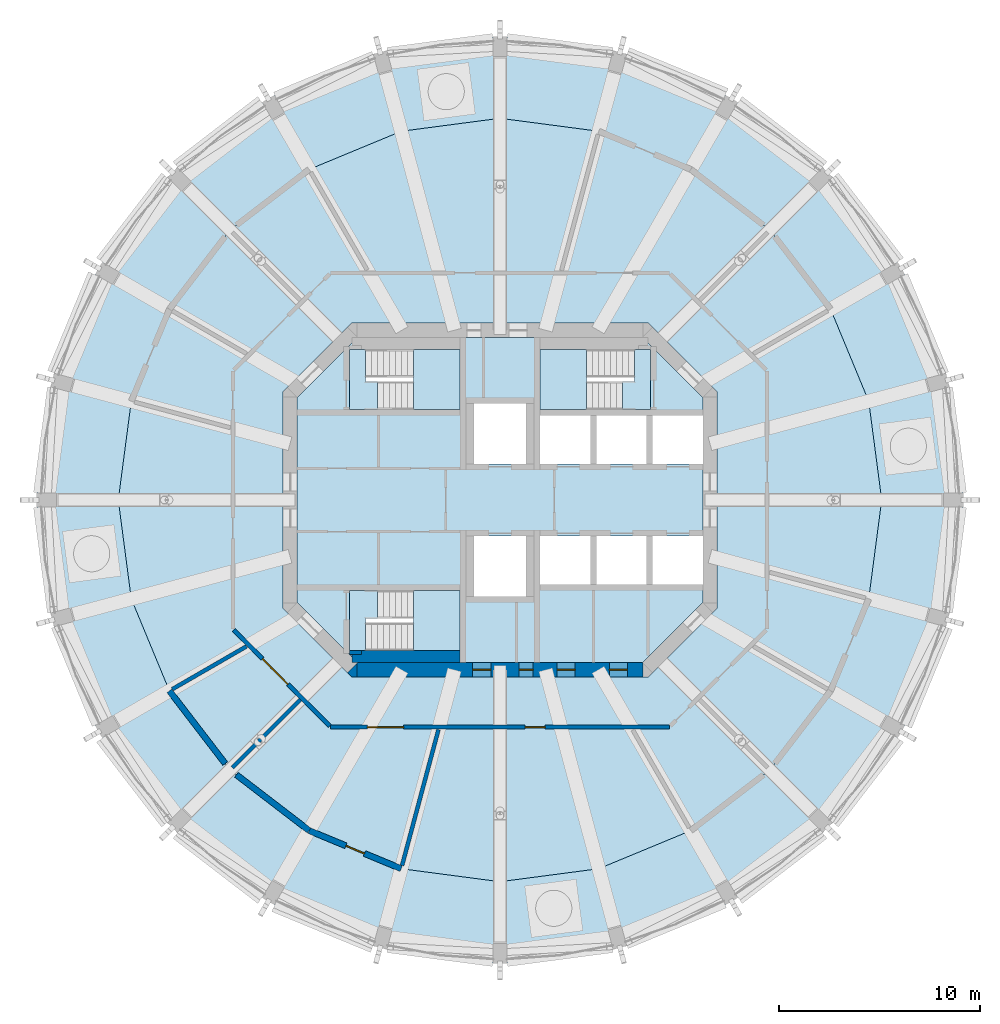
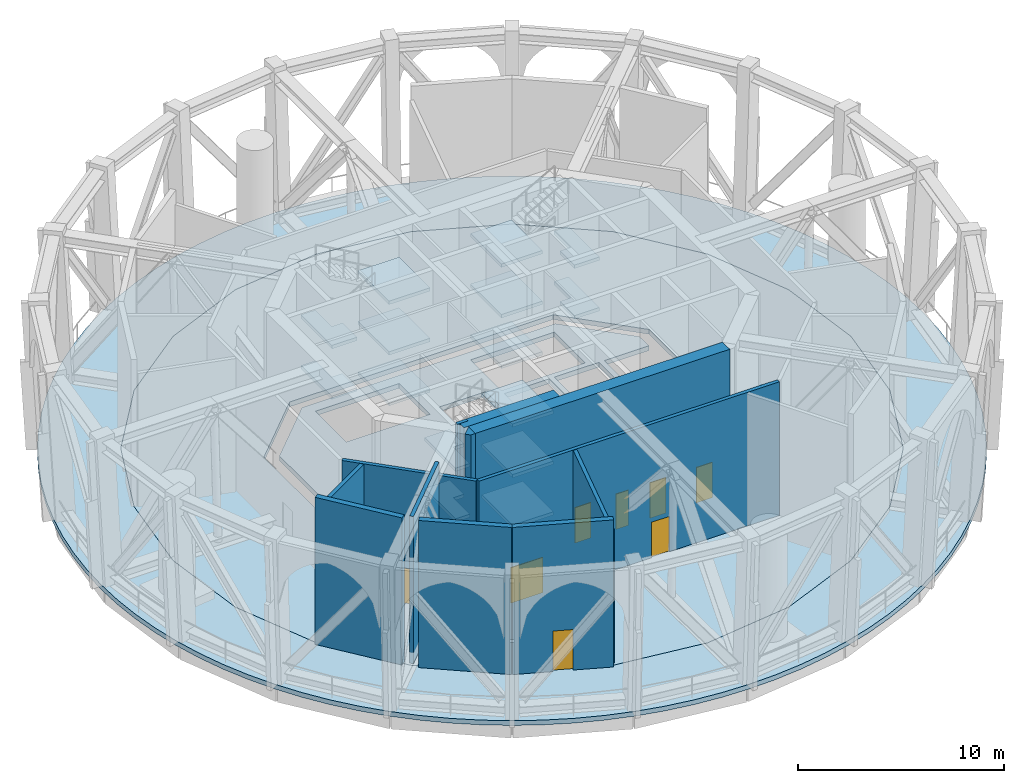
# One storey, part 4 of 12: 18 slabs, 12 walls, 8 doors, 8 openings, 3 elements without a shape of their own.
"""IFC4 building model written with IfcOpenShell, lengths in metres."""

from ifc_helpers import new_model, si_unit, direction, frame, frame_2d, origin, place, context, subcontext, project, spatial, polyline, rectangle, outline, extrude, material, layer, layer_set, type_object, element, fill, aggregate, save


model = new_model("IFC4")

# Units and contexts
model_context = context("Model", 3, precision=1e-05, world=origin(), true_north=direction((0.0, 1.0)))
body_context = subcontext(model_context, "Body", "Model", "MODEL_VIEW")
ifc_project = project(units=[si_unit("LENGTHUNIT", "METRE"), si_unit("AREAUNIT", "SQUARE_METRE"), si_unit("VOLUMEUNIT", "CUBIC_METRE"), si_unit("PLANEANGLEUNIT", "RADIAN"), si_unit("MASSUNIT", "GRAM", prefix="KILO")], contexts=[model_context])

# Site, building, storey
site_placement = place(None, origin())
site = spatial("IfcSite", under=ifc_project, at=site_placement, CompositionType="ELEMENT")
building_placement = place(site_placement, origin())
building = spatial("IfcBuilding", under=site, at=building_placement, Name="Torre Triforio", CompositionType="ELEMENT")
storey_placement = place(building_placement, frame((0.0, 0.0, 183.800048828125)))
storey = spatial("IfcBuildingStorey", under=building, at=storey_placement, Name="L42", CompositionType="ELEMENT", Elevation=183.800048828125)

# Slabs
ifc_material_1 = material(Name="Concrete C50", Category="concrete")
ifc_layer_1 = layer(ifc_material_1, 0.280029296875)
ifc_layer_set_1 = layer_set([ifc_layer_1], Name="Concrete C50")
slab_type_1 = type_object("IfcSlabType", Name="Core floor slab 280 mm C50 REI 120", PredefinedType="FLOOR", material=ifc_layer_set_1)
slab_1_placement = place(storey_placement, frame((0.0, 0.0, -0.280029296875)))
element("IfcSlab", 1, at=slab_1_placement, inside=storey, type_object=slab_type_1, Name="Core floor slab", PredefinedType="FLOOR", context=body_context, shape_type="SweptSolid", body=[
    extrude(outline(polyline([(10.10009765625, -5.10009765625), (7.10009765625, -8.10009765625), (-7.10009765625, -8.10009765625), (-10.10009765625, -5.10009765625), (-10.10009765625, 5.10009765625), (-7.10009765625, 8.10009765625), (7.10009765625, 8.10009765625), (10.10009765625, 5.10009765625), (10.10009765625, 4.199951171875), (7.60009765625, 4.199951171875), (7.60009765625, 1.800048828125), (10.10009765625, 1.800048828125), (10.10009765625, -1.800048828125), (7.60009765625, -1.800048828125), (7.60009765625, -4.199951171875), (10.10009765625, -4.199951171875), (10.10009765625, -5.10009765625)]), holes=[polyline([(-6.696044921875, -4.5), (-6.696044921875, -7.5), (-2.0, -7.5), (-2.0, -4.5), (-6.696044921875, -4.5)]), polyline([(-1.300048828125, -1.800048828125), (-1.300048828125, -4.800048828125), (1.300048828125, -4.800048828125), (1.300048828125, -1.800048828125), (-1.300048828125, -1.800048828125)]), polyline([(2.0, -1.800048828125), (2.0, -4.199951171875), (4.5, -4.199951171875), (4.5, -1.800048828125), (2.0, -1.800048828125)]), polyline([(4.5, 4.199951171875), (2.0, 4.199951171875), (2.0, 1.800048828125), (4.5, 1.800048828125), (4.5, 4.199951171875)]), polyline([(1.300048828125, 4.800048828125), (-1.300048828125, 4.800048828125), (-1.300048828125, 1.800048828125), (1.300048828125, 1.800048828125), (1.300048828125, 4.800048828125)]), polyline([(-6.696044921875, 7.5), (-6.696044921875, 4.5), (-2.0, 4.5), (-2.0, 7.5), (-6.696044921875, 7.5)]), polyline([(7.300048828125, -1.800048828125), (4.800048828125, -1.800048828125), (4.800048828125, -4.199951171875), (7.300048828125, -4.199951171875), (7.300048828125, -1.800048828125)]), polyline([(4.800048828125, 4.199951171875), (4.800048828125, 1.800048828125), (7.300048828125, 1.800048828125), (7.300048828125, 4.199951171875), (4.800048828125, 4.199951171875)]), polyline([(6.696044921875, 7.5), (2.0, 7.5), (2.0, 4.5), (6.696044921875, 4.5), (6.696044921875, 7.5)])]), origin(), (0.0, 0.0, 1.0), 0.280029296875),
])
ifc_material_2 = material(Name="Concrete C40", Category="concrete")
ifc_layer_2 = layer(ifc_material_2, 0.280029296875)
ifc_layer_set_2 = layer_set([ifc_layer_2], Name="Concrete C40")
slab_type_2 = type_object("IfcSlabType", Name="Floor slab 280 C40", PredefinedType="FLOOR", material=ifc_layer_set_2)
slab_2_placement = place(storey_placement, frame((0.0, 0.0, -0.280029296875)))
element("IfcSlab", 2, at=slab_2_placement, inside=storey, type_object=slab_type_2, Name="SL.L42", PredefinedType="FLOOR", context=body_context, shape_type="SweptSolid", body=[
    extrude(outline(polyline([(16.45458984375, -9.5), (18.3525390625, -4.91748046875), (19.0, 0.0), (18.3525390625, 4.91748046875), (16.45458984375, 9.5), (13.43505859375, 13.43505859375), (9.5, 16.45458984375), (4.91748046875, 18.3525390625), (0.0, 19.0), (-4.91748046875, 18.3525390625), (-9.5, 16.45458984375), (-13.43505859375, 13.43505859375), (-16.45458984375, 9.5), (-18.3525390625, 4.91748046875), (-19.0, 0.0), (-18.3525390625, -4.91748046875), (-16.45458984375, -9.5), (-13.43505859375, -13.43505859375), (-9.5, -16.45458984375), (-4.91748046875, -18.3525390625), (0.0, -19.0), (4.91748046875, -18.3525390625), (9.5, -16.45458984375), (13.43505859375, -13.43505859375), (16.45458984375, -9.5)]), holes=[polyline([(10.800048828125, 5.389892578125), (10.800048828125, -5.389892578125), (7.389892578125, -8.800048828125), (-7.389892578125, -8.800048828125), (-10.800048828125, -5.389892578125), (-10.800048828125, 5.389892578125), (-7.389892578125, 8.800048828125), (7.389892578125, 8.800048828125), (10.800048828125, 5.389892578125)])]), origin(), (0.0, 0.0, 1.0), 0.280029296875),
])
ifc_layer_3 = layer(ifc_material_2, 0.280029296875)
ifc_layer_set_3 = layer_set([ifc_layer_3], Name="Concrete C40")
slab_type_3 = type_object("IfcSlabType", Name="Loggia slab 280 C40", PredefinedType="FLOOR", material=ifc_layer_set_3)
slab_3_placement = place(storey_placement, frame((0.0, 0.0, -0.280029296875)))
element("IfcSlab", 3, at=slab_3_placement, inside=storey, type_object=slab_type_3, Name="SL.L42.LG", PredefinedType="FLOOR", context=body_context, shape_type="SweptSolid", body=[
    extrude(outline(polyline([(23.000732421875, -1.507568359375), (23.050048828125, 0.0), (23.000732421875, 1.507568359375), (22.852783203125, 3.008544921875), (22.607177734375, 4.496826171875), (22.2646484375, 5.9658203125), (21.82666015625, 7.4091796875), (21.29541015625, 8.82080078125), (20.6728515625, 10.19482421875), (19.9619140625, 11.52490234375), (19.165283203125, 12.805908203125), (18.286865234375, 14.031982421875), (17.329833984375, 15.197998046875), (16.298828125, 16.298828125), (15.197998046875, 17.329833984375), (14.031982421875, 18.286865234375), (12.805908203125, 19.165283203125), (11.52490234375, 19.9619140625), (10.19482421875, 20.6728515625), (8.82080078125, 21.29541015625), (7.4091796875, 21.82666015625), (5.9658203125, 22.2646484375), (4.496826171875, 22.607177734375), (3.008544921875, 22.852783203125), (1.507568359375, 23.000732421875), (0.0, 23.050048828125), (-1.507568359375, 23.000732421875), (-3.008544921875, 22.852783203125), (-4.496826171875, 22.607177734375), (-5.9658203125, 22.2646484375), (-7.4091796875, 21.82666015625), (-8.82080078125, 21.29541015625), (-10.19482421875, 20.6728515625), (-11.52490234375, 19.9619140625), (-12.805908203125, 19.165283203125), (-14.031982421875, 18.286865234375), (-15.197998046875, 17.329833984375), (-16.298828125, 16.298828125), (-17.329833984375, 15.197998046875), (-18.286865234375, 14.031982421875), (-19.165283203125, 12.805908203125), (-19.9619140625, 11.52490234375), (-20.6728515625, 10.19482421875), (-21.29541015625, 8.82080078125), (-21.82666015625, 7.4091796875), (-22.2646484375, 5.9658203125), (-22.607177734375, 4.496826171875), (-22.852783203125, 3.008544921875), (-23.000732421875, 1.507568359375), (-23.050048828125, 0.0), (-23.000732421875, -1.507568359375), (-22.852783203125, -3.008544921875), (-22.607177734375, -4.496826171875), (-22.2646484375, -5.9658203125), (-21.82666015625, -7.4091796875), (-21.29541015625, -8.82080078125), (-20.6728515625, -10.19482421875), (-19.9619140625, -11.52490234375), (-19.165283203125, -12.805908203125), (-18.286865234375, -14.031982421875), (-17.329833984375, -15.197998046875), (-16.298828125, -16.298828125), (-15.197998046875, -17.329833984375), (-14.031982421875, -18.286865234375), (-12.805908203125, -19.165283203125), (-11.52490234375, -19.9619140625), (-10.19482421875, -20.6728515625), (-8.82080078125, -21.29541015625), (-7.4091796875, -21.82666015625), (-5.9658203125, -22.2646484375), (-4.496826171875, -22.607177734375), (-3.008544921875, -22.852783203125), (-1.507568359375, -23.000732421875), (0.0, -23.050048828125), (1.507568359375, -23.000732421875), (3.008544921875, -22.852783203125), (4.496826171875, -22.607177734375), (5.9658203125, -22.2646484375), (7.4091796875, -21.82666015625), (8.82080078125, -21.29541015625), (10.19482421875, -20.6728515625), (11.52490234375, -19.9619140625), (12.805908203125, -19.165283203125), (14.031982421875, -18.286865234375), (15.197998046875, -17.329833984375), (16.298828125, -16.298828125), (17.329833984375, -15.197998046875), (18.286865234375, -14.031982421875), (19.165283203125, -12.805908203125), (19.9619140625, -11.52490234375), (20.6728515625, -10.19482421875), (21.29541015625, -8.82080078125), (21.82666015625, -7.4091796875), (22.2646484375, -5.9658203125), (22.607177734375, -4.496826171875), (22.852783203125, -3.008544921875), (23.000732421875, -1.507568359375)]), holes=[polyline([(18.3525390625, 4.91748046875), (19.0, 0.0), (18.3525390625, -4.91748046875), (16.45458984375, -9.5), (13.43505859375, -13.43505859375), (9.5, -16.45458984375), (4.91748046875, -18.3525390625), (0.0, -19.0), (-4.91748046875, -18.3525390625), (-9.5, -16.45458984375), (-13.43505859375, -13.43505859375), (-16.45458984375, -9.5), (-18.3525390625, -4.91748046875), (-19.0, 0.0), (-18.3525390625, 4.91748046875), (-16.45458984375, 9.5), (-13.43505859375, 13.43505859375), (-9.5, 16.45458984375), (-4.91748046875, 18.3525390625), (0.0, 19.0), (4.91748046875, 18.3525390625), (9.5, 16.45458984375), (13.43505859375, 13.43505859375), (16.45458984375, 9.5), (18.3525390625, 4.91748046875)])]), origin(), (0.0, 0.0, 1.0), 0.280029296875),
])

# Stair, slabs
stair_type = type_object("IfcStairType", Name="STAIR DOUBLE RETURN", PredefinedType="DOUBLE_RETURN_STAIR", material=ifc_material_2)
stair_1_placement = place(storey_placement, origin())
stair_1 = element("IfcStair", 4, at=stair_1_placement, inside=storey, type_object=stair_type, Name="Exit stair 1", PredefinedType="DOUBLE_RETURN_STAIR")
ifc_layer_4 = layer(ifc_material_2, 0.199951171875)
ifc_layer_set_4 = layer_set([ifc_layer_4], Name="Concrete C40")
slab_type_4 = type_object("IfcSlabType", Name="STAIR LANDING 200", PredefinedType="LANDING", material=ifc_layer_set_4)
slab_4_placement = place(storey_placement, frame((0.0, 0.0, 1.300048828125)))
slab_4 = element("IfcSlab", 5, at=slab_4_placement, type_object=slab_type_4, Name="ST1 landing 1", PredefinedType="LANDING", context=body_context, shape_type="SweptSolid", body=[
    extrude(outline(polyline([(-2.0, 4.5), (-2.0, 7.5), (-4.300048828125, 7.5), (-4.300048828125, 4.5), (-2.0, 4.5)])), origin(), (0.0, 0.0, 1.0), 0.199951171875),
])
slab_5_placement = place(storey_placement, frame((0.0, 0.0, 2.800048828125)))
slab_5 = element("IfcSlab", 6, at=slab_5_placement, type_object=slab_type_4, Name="ST1 landing 2", PredefinedType="LANDING", context=body_context, shape_type="SweptSolid", body=[
    extrude(outline(polyline([(-6.10009765625, 5.89990234375), (-6.10009765625, 4.5), (-6.696044921875, 4.5), (-6.699951171875, 4.5), (-7.5, 4.5), (-7.5, 7.5), (-6.696044921875, 7.5), (-6.696044921875, 5.89990234375), (-6.10009765625, 5.89990234375)])), origin(), (0.0, 0.0, 1.0), 0.199951171875),
])
slab_6_placement = place(storey_placement, frame((0.0, 0.0, 4.300048828125)))
slab_6 = element("IfcSlab", 7, at=slab_6_placement, type_object=slab_type_4, Name="ST1 landing 3", PredefinedType="LANDING", context=body_context, shape_type="SweptSolid", body=[
    extrude(outline(polyline([(-2.0, 4.5), (-2.0, 7.5), (-4.300048828125, 7.5), (-4.300048828125, 4.5), (-2.0, 4.5)])), origin(), (0.0, 0.0, 1.0), 0.199951171875),
])
slab_7_placement = place(storey_placement, frame((0.0, 0.0, 5.800048828125)))
slab_7 = element("IfcSlab", 8, at=slab_7_placement, type_object=slab_type_4, Name="ST1 landing 4", PredefinedType="LANDING", context=body_context, shape_type="SweptSolid", body=[
    extrude(outline(polyline([(-6.10009765625, 5.89990234375), (-6.10009765625, 4.5), (-6.696044921875, 4.5), (-6.699951171875, 4.5), (-7.5, 4.5), (-7.5, 7.5), (-6.696044921875, 7.5), (-6.696044921875, 5.89990234375), (-6.10009765625, 5.89990234375)])), origin(), (0.0, 0.0, 1.0), 0.199951171875),
])
slab_8_placement = place(storey_placement, frame((0.0, 0.0, 7.300048828125)))
slab_8 = element("IfcSlab", 9, at=slab_8_placement, type_object=slab_type_4, Name="ST1 landing 5", PredefinedType="LANDING", context=body_context, shape_type="SweptSolid", body=[
    extrude(outline(polyline([(-2.0, 4.5), (-2.0, 7.5), (-4.300048828125, 7.5), (-4.300048828125, 4.5), (-2.0, 4.5)])), origin(), (0.0, 0.0, 1.0), 0.199951171875),
])
aggregate(stair_1, [slab_4, slab_5, slab_6, slab_7, slab_8])

stair_2_placement = place(storey_placement, origin())
stair_2 = element("IfcStair", 10, at=stair_2_placement, inside=storey, type_object=stair_type, Name="Exit stair 2", PredefinedType="DOUBLE_RETURN_STAIR")
slab_9_placement = place(storey_placement, frame((0.0, 0.0, 1.300048828125)))
slab_9 = element("IfcSlab", 11, at=slab_9_placement, type_object=slab_type_4, Name="ST2 landing 1", PredefinedType="LANDING", context=body_context, shape_type="SweptSolid", body=[
    extrude(outline(polyline([(4.300048828125, 4.5), (4.300048828125, 7.5), (2.0, 7.5), (2.0, 4.5), (4.300048828125, 4.5)])), origin(), (0.0, 0.0, 1.0), 0.199951171875),
])
slab_10_placement = place(storey_placement, frame((0.0, 0.0, 2.800048828125)))
slab_10 = element("IfcSlab", 12, at=slab_10_placement, type_object=slab_type_4, Name="ST2 landing 2", PredefinedType="LANDING", context=body_context, shape_type="SweptSolid", body=[
    extrude(outline(polyline([(6.10009765625, 4.5), (6.10009765625, 5.89990234375), (6.696044921875, 5.89990234375), (6.696044921875, 7.5), (7.5, 7.5), (7.5, 4.5), (6.699951171875, 4.5), (6.696044921875, 4.5), (6.10009765625, 4.5)])), origin(), (0.0, 0.0, 1.0), 0.199951171875),
])
slab_11_placement = place(storey_placement, frame((0.0, 0.0, 4.300048828125)))
slab_11 = element("IfcSlab", 13, at=slab_11_placement, type_object=slab_type_4, Name="ST2 landing 3", PredefinedType="LANDING", context=body_context, shape_type="SweptSolid", body=[
    extrude(outline(polyline([(4.300048828125, 4.5), (4.300048828125, 7.5), (2.0, 7.5), (2.0, 4.5), (4.300048828125, 4.5)])), origin(), (0.0, 0.0, 1.0), 0.199951171875),
])
slab_12_placement = place(storey_placement, frame((0.0, 0.0, 5.800048828125)))
slab_12 = element("IfcSlab", 14, at=slab_12_placement, type_object=slab_type_4, Name="ST2 landing 4", PredefinedType="LANDING", context=body_context, shape_type="SweptSolid", body=[
    extrude(outline(polyline([(6.10009765625, 4.5), (6.10009765625, 5.89990234375), (6.696044921875, 5.89990234375), (6.696044921875, 7.5), (7.5, 7.5), (7.5, 4.5), (6.699951171875, 4.5), (6.696044921875, 4.5), (6.10009765625, 4.5)])), origin(), (0.0, 0.0, 1.0), 0.199951171875),
])
slab_13_placement = place(storey_placement, frame((0.0, 0.0, 7.300048828125)))
slab_13 = element("IfcSlab", 15, at=slab_13_placement, type_object=slab_type_4, Name="ST2 landing 5", PredefinedType="LANDING", context=body_context, shape_type="SweptSolid", body=[
    extrude(outline(polyline([(4.300048828125, 4.5), (4.300048828125, 7.5), (2.0, 7.5), (2.0, 4.5), (4.300048828125, 4.5)])), origin(), (0.0, 0.0, 1.0), 0.199951171875),
])
aggregate(stair_2, [slab_9, slab_10, slab_11, slab_12, slab_13])

stair_3_placement = place(storey_placement, origin())
stair_3 = element("IfcStair", 16, at=stair_3_placement, inside=storey, type_object=stair_type, Name="Exit stair 3", PredefinedType="DOUBLE_RETURN_STAIR")
slab_14_placement = place(storey_placement, frame((0.0, 0.0, 1.300048828125)))
slab_14 = element("IfcSlab", 17, at=slab_14_placement, type_object=slab_type_4, Name="ST3 landing 1", PredefinedType="LANDING", context=body_context, shape_type="SweptSolid", body=[
    extrude(outline(polyline([(-2.0, -7.5), (-2.0, -4.5), (-4.300048828125, -4.5), (-4.300048828125, -7.5), (-2.0, -7.5)])), origin(), (0.0, 0.0, 1.0), 0.199951171875),
])
slab_15_placement = place(storey_placement, frame((0.0, 0.0, 2.800048828125)))
slab_15 = element("IfcSlab", 18, at=slab_15_placement, type_object=slab_type_4, Name="ST3 landing 2", PredefinedType="LANDING", context=body_context, shape_type="SweptSolid", body=[
    extrude(outline(polyline([(-6.696044921875, -7.5), (-7.5, -7.5), (-7.5, -4.5), (-6.699951171875, -4.5), (-6.696044921875, -4.5), (-6.10009765625, -4.5), (-6.10009765625, -5.89990234375), (-6.696044921875, -5.89990234375), (-6.696044921875, -7.5)])), origin(), (0.0, 0.0, 1.0), 0.199951171875),
])
slab_16_placement = place(storey_placement, frame((0.0, 0.0, 4.300048828125)))
slab_16 = element("IfcSlab", 19, at=slab_16_placement, type_object=slab_type_4, Name="ST3 landing 3", PredefinedType="LANDING", context=body_context, shape_type="SweptSolid", body=[
    extrude(outline(polyline([(-2.0, -7.5), (-2.0, -4.5), (-4.300048828125, -4.5), (-4.300048828125, -7.5), (-2.0, -7.5)])), origin(), (0.0, 0.0, 1.0), 0.199951171875),
])
slab_17_placement = place(storey_placement, frame((0.0, 0.0, 5.800048828125)))
slab_17 = element("IfcSlab", 20, at=slab_17_placement, type_object=slab_type_4, Name="ST3 landing 4", PredefinedType="LANDING", context=body_context, shape_type="SweptSolid", body=[
    extrude(outline(polyline([(-6.696044921875, -7.5), (-7.5, -7.5), (-7.5, -4.5), (-6.699951171875, -4.5), (-6.696044921875, -4.5), (-6.10009765625, -4.5), (-6.10009765625, -5.89990234375), (-6.696044921875, -5.89990234375), (-6.696044921875, -7.5)])), origin(), (0.0, 0.0, 1.0), 0.199951171875),
])
slab_18_placement = place(storey_placement, frame((0.0, 0.0, 7.300048828125)))
slab_18 = element("IfcSlab", 21, at=slab_18_placement, type_object=slab_type_4, Name="ST3 landing 5", PredefinedType="LANDING", context=body_context, shape_type="SweptSolid", body=[
    extrude(outline(polyline([(-2.0, -7.5), (-2.0, -4.5), (-4.300048828125, -4.5), (-4.300048828125, -7.5), (-2.0, -7.5)])), origin(), (0.0, 0.0, 1.0), 0.199951171875),
])
aggregate(stair_3, [slab_14, slab_15, slab_16, slab_17, slab_18])

# Wall, openings, doors
ifc_layer_5 = layer(ifc_material_1, 0.699951171875)
ifc_layer_set_5 = layer_set([ifc_layer_5], Name="Concrete C50")
wall_type_1 = type_object("IfcWallType", Name="Core wall 700 mm C50 EI 120", PredefinedType="SHEAR", material=ifc_layer_set_5)
wall_1_placement = place(storey_placement, frame((-7.1298828125, -8.449951171875, -0.280029296875), z_axis=(0.0, 0.0, 1.0), x_axis=(1.0, 0.0, 0.0)))
wall_1 = element("IfcWall", 22, at=wall_1_placement, inside=storey, type_object=wall_type_1, Name="Core wall", PredefinedType="SHEAR", context=body_context, shape_type="SweptSolid", body=[
    extrude(rectangle(XDim=14.259765625, YDim=0.699951171875, at=frame_2d((7.1298828125, 0.0))), origin(), (0.0, 0.0, 1.0), 9.0),
])
opening_1_placement = place(wall_1_placement, frame((8.080078125, 0.0, 0.280029296875)))
opening_1 = element("IfcOpeningElement", 23, at=opening_1_placement, cuts=wall_1, Name="Opening RISER-S", PredefinedType="OPENING", context=body_context, shape_type="SweptSolid", body=[
    extrude(rectangle(XDim=0.699951171875, YDim=2.10009765625, at=frame_2d((0.35009765625, 1.050048828125))), frame((0.0, 0.35986328125, 0.0), z_axis=(0.0, -1.0, 0.0), x_axis=(1.0, 0.0, 0.0)), (0.0, 0.0, 1.0), 0.719970703125),
])
opening_2_placement = place(wall_1_placement, frame((5.77001953125, 0.0, 0.280029296875)))
opening_2 = element("IfcOpeningElement", 24, at=opening_2_placement, cuts=wall_1, Name="Opening SW-01", PredefinedType="OPENING", context=body_context, shape_type="SweptSolid", body=[
    extrude(rectangle(XDim=0.89990234375, YDim=2.10009765625, at=frame_2d((0.449951171875, 1.050048828125))), frame((0.0, 0.35986328125, 0.0), z_axis=(0.0, -1.0, 0.0), x_axis=(1.0, 0.0, 0.0)), (0.0, 0.0, 1.0), 0.719970703125),
])
opening_3_placement = place(wall_1_placement, frame((9.969970703125, 0.0, 0.280029296875)))
opening_3 = element("IfcOpeningElement", 25, at=opening_3_placement, cuts=wall_1, Name="Opening SE-01", PredefinedType="OPENING", context=body_context, shape_type="SweptSolid", body=[
    extrude(rectangle(XDim=0.89990234375, YDim=2.10009765625, at=frame_2d((0.449951171875, 1.050048828125))), frame((0.0, 0.35986328125, 0.0), z_axis=(0.0, -1.0, 0.0), x_axis=(1.0, 0.0, 0.0)), (0.0, 0.0, 1.0), 0.719970703125),
])
opening_4_placement = place(wall_1_placement, frame((12.570068359375, 0.0, 0.280029296875)))
opening_4 = element("IfcOpeningElement", 26, at=opening_4_placement, cuts=wall_1, Name="Opening SE-02A", PredefinedType="OPENING", context=body_context, shape_type="SweptSolid", body=[
    extrude(rectangle(XDim=0.89990234375, YDim=2.10009765625, at=frame_2d((0.449951171875, 1.050048828125))), frame((0.0, 0.35986328125, 0.0), z_axis=(0.0, -1.0, 0.0), x_axis=(1.0, 0.0, 0.0)), (0.0, 0.0, 1.0), 0.719970703125),
])
ifc_material_3 = material(Name="Hollow metal fire door leaf")
door_type_1 = type_object("IfcDoorType", Name="Plant room door 900 x 2100 EI 60", OperationType="NOTDEFINED", PredefinedType="DOOR", material=ifc_material_3)
door_1_placement = place(opening_2_placement, origin())
door_1 = element("IfcDoor", 27, at=door_1_placement, inside=storey, type_object=door_type_1, Name="Core door SW-01", OperationType="SINGLE_SWING_LEFT", OverallHeight=2.10009765625, OverallWidth=0.89990234375, PredefinedType="DOOR", context=body_context, shape_type="SweptSolid", body=[
    extrude(rectangle(XDim=0.89990234375, YDim=2.10009765625, at=frame_2d((0.449951171875, 1.050048828125))), frame((0.0, 0.02490234375, 0.0), z_axis=(0.0, -1.0, 0.0), x_axis=(1.0, 0.0, 0.0)), (0.0, 0.0, 1.0), 0.050048828125),
])
fill(opening_2, door_1)
door_2_placement = place(opening_3_placement, origin())
door_2 = element("IfcDoor", 28, at=door_2_placement, inside=storey, type_object=door_type_1, Name="Core door SE-01", OperationType="SINGLE_SWING_LEFT", OverallHeight=2.10009765625, OverallWidth=0.89990234375, PredefinedType="DOOR", context=body_context, shape_type="SweptSolid", body=[
    extrude(rectangle(XDim=0.89990234375, YDim=2.10009765625, at=frame_2d((0.449951171875, 1.050048828125))), frame((0.0, 0.02490234375, 0.0), z_axis=(0.0, -1.0, 0.0), x_axis=(1.0, 0.0, 0.0)), (0.0, 0.0, 1.0), 0.050048828125),
])
fill(opening_3, door_2)
door_3_placement = place(opening_4_placement, origin())
door_3 = element("IfcDoor", 29, at=door_3_placement, inside=storey, type_object=door_type_1, Name="Core door SE-02", OperationType="SINGLE_SWING_LEFT", OverallHeight=2.10009765625, OverallWidth=0.89990234375, PredefinedType="DOOR", context=body_context, shape_type="SweptSolid", body=[
    extrude(rectangle(XDim=0.89990234375, YDim=2.10009765625, at=frame_2d((0.449951171875, 1.050048828125))), frame((0.0, 0.02490234375, 0.0), z_axis=(0.0, -1.0, 0.0), x_axis=(1.0, 0.0, 0.0)), (0.0, 0.0, 1.0), 0.050048828125),
])
fill(opening_4, door_3)
door_type_2 = type_object("IfcDoorType", Name="Riser door 700 x 2100 EI 60", OperationType="NOTDEFINED", PredefinedType="DOOR", material=ifc_material_3)
door_4_placement = place(opening_1_placement, origin())
door_4 = element("IfcDoor", 30, at=door_4_placement, inside=storey, type_object=door_type_2, Name="Core door RISER-S", OperationType="SINGLE_SWING_RIGHT", OverallHeight=2.10009765625, OverallWidth=0.699951171875, PredefinedType="DOOR", context=body_context, shape_type="SweptSolid", body=[
    extrude(rectangle(XDim=0.699951171875, YDim=2.10009765625, at=frame_2d((0.35009765625, 1.050048828125))), frame((0.0, 0.02490234375, 0.0), z_axis=(0.0, -1.0, 0.0), x_axis=(1.0, 0.0, 0.0)), (0.0, 0.0, 1.0), 0.050048828125),
])
fill(opening_1, door_4)

# Walls
wall_2_placement = place(storey_placement, frame((0.0, 0.0, -0.280029296875)))
element("IfcWall", 31, at=wall_2_placement, inside=storey, type_object=wall_type_1, Name="Core wall", PredefinedType="SHEAR", context=body_context, shape_type="SweptSolid", body=[
    extrude(outline(polyline([(-7.389892578125, -8.800048828125), (-7.594970703125, -8.594970703125), (-7.594970703125, -8.594970703125), (-7.594970703125, -8.594970703125), (-7.1298828125, -8.1298828125), (-7.1298828125, -8.800048828125), (-7.1298828125, -8.800048828125), (-7.389892578125, -8.800048828125)])), origin(), (0.0, 0.0, 1.0), 9.0),
])
ifc_material_4 = material(Name="Aluminium louvre blades", Category="aluminium")
ifc_layer_6 = layer(ifc_material_4, 0.300048828125)
ifc_layer_set_6 = layer_set([ifc_layer_6], Name="Aluminium louvre blades")
wall_type_2 = type_object("IfcWallType", Name="Louvred enclosure wall 300", PredefinedType="STANDARD", material=ifc_layer_set_6)
for number, where, z_axis, x_axis, name in (
    (32, (-16.45458984375, -9.5, 0.0), (0.0, 0.0, 1.0), (0.608786657876, -0.793333980864, 0.0), "Louvred enclosure L42 bay 15"),
    (33, (-13.11767578125, -13.678466796875, 0.0), (0.0, 0.0, 1.0), (0.793333980864, -0.608786657876, 0.0), "Louvred enclosure L42 bay 16"),
):
    element("IfcWall", number, at=place(storey_placement, frame(where, z_axis=z_axis, x_axis=x_axis)), inside=storey, type_object=wall_type_2, Name=name, PredefinedType="STANDARD", context=body_context, shape_type="SweptSolid", body=[
        extrude(rectangle(XDim=4.56005859375, YDim=0.300048828125, at=frame_2d((2.280029296875, 0.0))), origin(), (0.0, 0.0, 1.0), 8.719970703125),
    ])

# Wall, opening, door
wall_3_placement = place(storey_placement, frame((-9.5, -16.45458984375, 0.0), z_axis=(0.0, 0.0, 1.0), x_axis=(0.923893254961, -0.382650301762, 0.0)))
wall_3 = element("IfcWall", 34, at=wall_3_placement, inside=storey, type_object=wall_type_2, Name="Louvred enclosure L42 bay 17", PredefinedType="STANDARD", context=body_context, shape_type="SweptSolid", body=[
    extrude(rectangle(XDim=4.9599609375, YDim=0.300048828125, at=frame_2d((2.47998046875, 0.0))), origin(), (0.0, 0.0, 1.0), 8.719970703125),
])
opening_5_placement = place(wall_3_placement, frame((1.97998046875, 0.0, 0.0)))
opening_5 = element("IfcOpeningElement", 35, at=opening_5_placement, cuts=wall_3, Name="Opening PL2-D17", PredefinedType="OPENING", context=body_context, shape_type="SweptSolid", body=[
    extrude(rectangle(XDim=1.0, YDim=2.39990234375, at=frame_2d((0.5, 1.199951171875))), frame((0.0, 0.159912109375, 0.0), z_axis=(0.0, -1.0, 0.0), x_axis=(1.0, 0.0, 0.0)), (0.0, 0.0, 1.0), 0.320068359375),
])
ifc_material_5 = material(Name="Galvanised hollow metal louvred door")
door_type_3 = type_object("IfcDoorType", Name="Deck service door 1000 x 2400", OperationType="NOTDEFINED", PredefinedType="DOOR", material=ifc_material_5)
door_5_placement = place(opening_5_placement, origin())
door_5 = element("IfcDoor", 36, at=door_5_placement, inside=storey, type_object=door_type_3, Name="Deck service door L42 bay 17", OperationType="SINGLE_SWING_LEFT", OverallHeight=2.39990234375, OverallWidth=1.0, PredefinedType="DOOR", context=body_context, shape_type="SweptSolid", body=[
    extrude(rectangle(XDim=1.0, YDim=2.39990234375, at=frame_2d((0.5, 1.199951171875))), frame((0.0, 0.02490234375, 0.0), z_axis=(0.0, -1.0, 0.0), x_axis=(1.0, 0.0, 0.0)), (0.0, 0.0, 1.0), 0.050048828125),
])
fill(opening_5, door_5)

# Wall, openings, doors
ifc_material_6 = material(Name="Masonry block", Category="masonry")
ifc_layer_7 = layer(ifc_material_6, 0.199951171875)
ifc_layer_set_7 = layer_set([ifc_layer_7], Name="Masonry block")
wall_type_3 = type_object("IfcWallType", Name="Plant room wall 200 mm block EI 120", PredefinedType="PARTITIONING", material=ifc_layer_set_7)
wall_4_placement = place(storey_placement, frame((8.425537109375, -11.300048828125, 0.0), z_axis=(0.0, 0.0, 1.0), x_axis=(-1.0, 0.0, 0.0)))
wall_4 = element("IfcWall", 37, at=wall_4_placement, inside=storey, type_object=wall_type_3, Name="Partition 2", PredefinedType="PARTITIONING", context=body_context, shape_type="SweptSolid", body=[
    extrude(rectangle(XDim=16.85107421875, YDim=0.199951171875, at=frame_2d((8.425537109375, 0.0))), origin(), (0.0, 0.0, 1.0), 7.919921875),
])
opening_6_placement = place(wall_4_placement, frame((13.227294921875, 0.0, 0.0)))
opening_6 = element("IfcOpeningElement", 38, at=opening_6_placement, cuts=wall_4, Name="Opening PL2-10", PredefinedType="OPENING", context=body_context, shape_type="SweptSolid", body=[
    extrude(rectangle(XDim=1.800048828125, YDim=2.10009765625, at=frame_2d((0.89990234375, 1.050048828125))), frame((0.0, 0.10986328125, 0.0), z_axis=(0.0, -1.0, 0.0), x_axis=(1.0, 0.0, 0.0)), (0.0, 0.0, 1.0), 0.219970703125),
])
opening_7_placement = place(wall_4_placement, frame((6.17431640625, 0.0, 0.0)))
opening_7 = element("IfcOpeningElement", 39, at=opening_7_placement, cuts=wall_4, Name="Opening PL2-11", PredefinedType="OPENING", context=body_context, shape_type="SweptSolid", body=[
    extrude(rectangle(XDim=1.0, YDim=2.10009765625, at=frame_2d((0.5, 1.050048828125))), frame((0.0, 0.10986328125, 0.0), z_axis=(0.0, -1.0, 0.0), x_axis=(1.0, 0.0, 0.0)), (0.0, 0.0, 1.0), 0.219970703125),
])
door_type_4 = type_object("IfcDoorType", Name="Door 1000 x 2100 single leaf EI 60", OperationType="NOTDEFINED", PredefinedType="DOOR", material=ifc_material_3)
door_6_placement = place(opening_7_placement, origin())
door_6 = element("IfcDoor", 40, at=door_6_placement, inside=storey, type_object=door_type_4, Name="Door PL2-11", OperationType="SINGLE_SWING_LEFT", OverallHeight=2.10009765625, OverallWidth=1.0, PredefinedType="DOOR", context=body_context, shape_type="SweptSolid", body=[
    extrude(rectangle(XDim=1.0, YDim=2.10009765625, at=frame_2d((0.5, 1.050048828125))), frame((0.0, 0.02490234375, 0.0), z_axis=(0.0, -1.0, 0.0), x_axis=(1.0, 0.0, 0.0)), (0.0, 0.0, 1.0), 0.050048828125),
])
fill(opening_7, door_6)
door_type_5 = type_object("IfcDoorType", Name="Door 1800 x 2100 double leaf EI 60", OperationType="DOUBLE_DOOR_SINGLE_SWING", PredefinedType="DOOR", material=ifc_material_3)
door_7_placement = place(opening_6_placement, origin())
door_7 = element("IfcDoor", 41, at=door_7_placement, inside=storey, type_object=door_type_5, Name="Door PL2-10", OperationType="DOUBLE_DOOR_SINGLE_SWING", OverallHeight=2.10009765625, OverallWidth=1.800048828125, PredefinedType="DOOR", context=body_context, shape_type="SweptSolid", body=[
    extrude(rectangle(XDim=1.800048828125, YDim=2.10009765625, at=frame_2d((0.89990234375, 1.050048828125))), frame((0.0, 0.02490234375, 0.0), z_axis=(0.0, -1.0, 0.0), x_axis=(1.0, 0.0, 0.0)), (0.0, 0.0, 1.0), 0.050048828125),
])
fill(opening_6, door_7)

# Wall, opening, door
wall_5_placement = place(storey_placement, frame((-8.47509765625, -11.25048828125, 0.0), z_axis=(0.0, 0.0, 1.0), x_axis=(-0.707106781187, 0.707106781187, 0.0)))
wall_5 = element("IfcWall", 42, at=wall_5_placement, inside=storey, type_object=wall_type_3, Name="Partition 3", PredefinedType="PARTITIONING", context=body_context, shape_type="SweptSolid", body=[
    extrude(rectangle(XDim=6.75341796875, YDim=0.199951171875, at=frame_2d((3.376708984375, 0.0))), origin(), (0.0, 0.0, 1.0), 7.919921875),
])
opening_8_placement = place(wall_5_placement, frame((2.93212890625, 0.0, 0.0)))
opening_8 = element("IfcOpeningElement", 43, at=opening_8_placement, cuts=wall_5, Name="Opening PL2-09", PredefinedType="OPENING", context=body_context, shape_type="SweptSolid", body=[
    extrude(rectangle(XDim=1.800048828125, YDim=2.10009765625, at=frame_2d((0.89990234375, 1.050048828125))), frame((0.0, 0.10986328125, 0.0), z_axis=(0.0, -1.0, 0.0), x_axis=(1.0, 0.0, 0.0)), (0.0, 0.0, 1.0), 0.219970703125),
])
door_8_placement = place(opening_8_placement, origin())
door_8 = element("IfcDoor", 44, at=door_8_placement, inside=storey, type_object=door_type_5, Name="Door PL2-09", OperationType="DOUBLE_DOOR_SINGLE_SWING", OverallHeight=2.10009765625, OverallWidth=1.800048828125, PredefinedType="DOOR", context=body_context, shape_type="SweptSolid", body=[
    extrude(rectangle(XDim=1.800048828125, YDim=2.10009765625, at=frame_2d((0.89990234375, 1.050048828125))), frame((0.0, 0.02490234375, 0.0), z_axis=(0.0, -1.0, 0.0), x_axis=(1.0, 0.0, 0.0)), (0.0, 0.0, 1.0), 0.050048828125),
])
fill(opening_8, door_8)

# Walls
wall_6_placement = place(storey_placement, frame((-12.617919921875, -7.284912109375, 0.0), z_axis=(0.0, 0.0, 1.0), x_axis=(-0.866005490874, -0.500034488586, 0.0)))
element("IfcWall", 45, at=wall_6_placement, inside=storey, type_object=wall_type_3, Name="Partition 16", PredefinedType="PARTITIONING", context=body_context, shape_type="SweptSolid", body=[
    extrude(rectangle(XDim=4.266845703125, YDim=0.199951171875, at=frame_2d((2.13330078125, 0.0))), origin(), (0.0, 0.0, 1.0), 7.919921875),
])
wall_7_placement = place(storey_placement, frame((-9.93359375, -9.93359375, 0.0), z_axis=(0.0, 0.0, 1.0), x_axis=(-0.707106781187, -0.707106781187, 0.0)))
element("IfcWall", 46, at=wall_7_placement, inside=storey, type_object=wall_type_3, Name="Partition 17", PredefinedType="PARTITIONING", context=body_context, shape_type="SweptSolid", body=[
    extrude(rectangle(XDim=4.78857421875, YDim=0.199951171875, at=frame_2d((2.394287109375, 0.0))), origin(), (0.0, 0.0, 1.0), 8.719970703125),
])
wall_8_placement = place(storey_placement, frame((-3.0615234375, -11.425537109375, 0.0), z_axis=(0.0, 0.0, 1.0), x_axis=(-0.258805157678, -0.965929547306, 0.0)))
element("IfcWall", 47, at=wall_8_placement, inside=storey, type_object=wall_type_3, Name="Partition 18", PredefinedType="PARTITIONING", context=body_context, shape_type="SweptSolid", body=[
    extrude(rectangle(XDim=7.008056640625, YDim=0.199951171875, at=frame_2d((3.50390625, 0.0))), origin(), (0.0, 0.0, 1.0), 7.919921875),
])
ifc_layer_8 = layer(ifc_material_1, 0.199951171875)
ifc_layer_set_8 = layer_set([ifc_layer_8], Name="Concrete C50")
wall_type_4 = type_object("IfcWallType", Name="Stair wall 200 mm C50 EI 120", PredefinedType="SHEAR", material=ifc_layer_set_8)
wall_9_placement = place(storey_placement, frame((-7.5, -7.60009765625, 0.0), z_axis=(0.0, 0.0, 1.0), x_axis=(1.0, 0.0, 0.0)))
element("IfcWall", 48, at=wall_9_placement, inside=storey, type_object=wall_type_4, Name="Stair wall", PredefinedType="SHEAR", context=body_context, shape_type="SweptSolid", body=[
    extrude(rectangle(XDim=0.60009765625, YDim=0.199951171875, at=frame_2d((0.300048828125, 0.0))), origin(), (0.0, 0.0, 1.0), 8.719970703125),
])
ifc_layer_9 = layer(ifc_material_1, 0.60009765625)
ifc_layer_set_9 = layer_set([ifc_layer_9], Name="Concrete C50")
wall_type_5 = type_object("IfcWallType", Name="Stair wall 600 mm C50 EI 120", PredefinedType="SHEAR", material=ifc_layer_set_9)
wall_10_placement = place(storey_placement, frame((-7.3701171875, -7.800048828125, 0.0), z_axis=(0.0, 0.0, 1.0), x_axis=(1.0, 0.0, 0.0)))
element("IfcWall", 49, at=wall_10_placement, inside=storey, type_object=wall_type_5, Name="Stair wall", PredefinedType="SHEAR", context=body_context, shape_type="SweptSolid", body=[
    extrude(rectangle(XDim=5.3701171875, YDim=0.60009765625, at=frame_2d((2.68505859375, 0.0))), origin(), (0.0, 0.0, 1.0), 8.719970703125),
])

save(model, "model.ifc")
